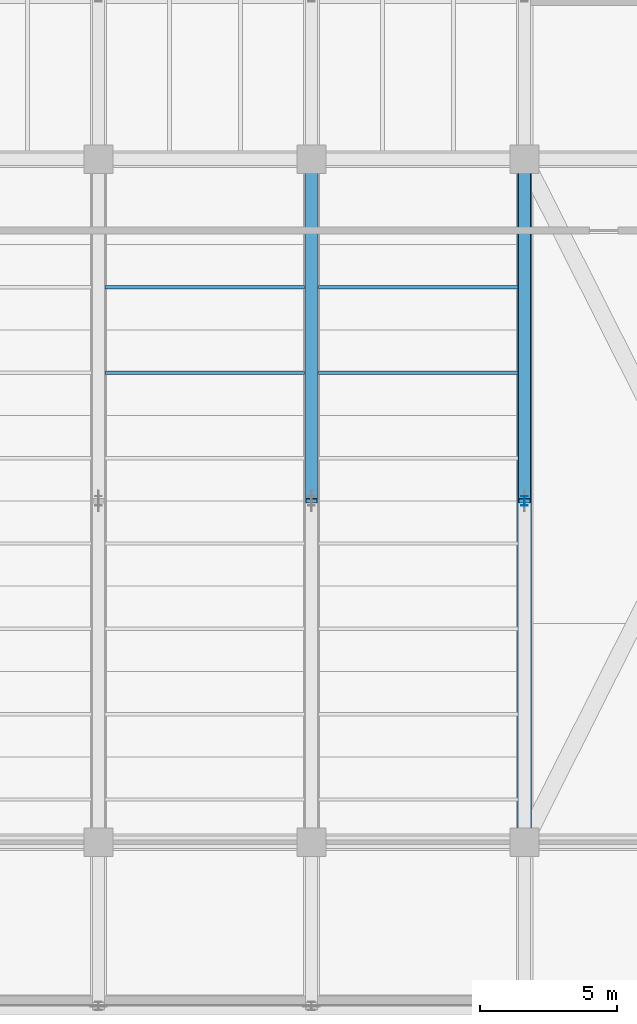
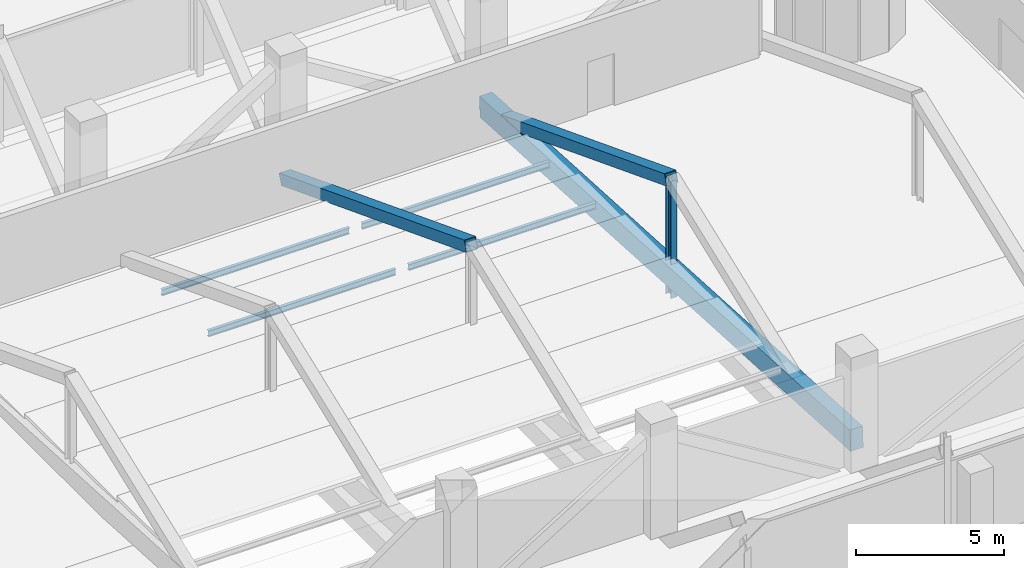
# One storey, part 50 of 127: 4 beams, 4 members.
"""IFC4 building model written with IfcOpenShell, lengths in metres."""

from ifc_helpers import new_model, si_unit, derived_unit, direction, frame, origin, origin_2d, place, context, subcontext, project, spatial, rectangle, hollow_rectangle, i_section, extrude, material, material_profile, profile_set, type_object, element, save


model = new_model("IFC4")

# Units and contexts
model_context = context("Model", 3, precision=1e-05, world=origin(), true_north=direction((0.0, 1.0)))
body_context = subcontext(model_context, "Body", "Model", "MODEL_VIEW")
ifc_project = project(units=[si_unit("LENGTHUNIT", "METRE"), si_unit("AREAUNIT", "SQUARE_METRE"), si_unit("VOLUMEUNIT", "CUBIC_METRE"), si_unit("PLANEANGLEUNIT", "RADIAN"), si_unit("MASSUNIT", "GRAM", prefix="KILO"), derived_unit("THERMALTRANSMITTANCEUNIT", [(si_unit("POWERUNIT", "WATT"), 1), (si_unit("LENGTHUNIT", "METRE"), -2), (si_unit("THERMODYNAMICTEMPERATUREUNIT", "KELVIN"), -1)])], contexts=[model_context])

# Site, building, storey
site_placement = place(None, origin())
site = spatial("IfcSite", under=ifc_project, at=site_placement, CompositionType="ELEMENT")
building_placement = place(site_placement, origin())
building = spatial("IfcBuilding", under=site, at=building_placement, Name="Nallur Shell Playhouse", CompositionType="ELEMENT")
storey_placement = place(building_placement, frame((0.0, 0.0, 5.39990234375)))
storey = spatial("IfcBuildingStorey", under=building, at=storey_placement, Name="L02", CompositionType="ELEMENT", Elevation=5.39990234375)

# Beams
ifc_material_1 = material(Name="Steel E250", Category="steel")
ifc_material_profile_1 = material_profile(ifc_material_1, i_section(OverallWidth=0.125, OverallDepth=0.25, WebThickness=0.0068359375, FlangeThickness=0.012451171875, FilletRadius=0.012939453125, at=origin_2d()), Name="ISMB 250")
ifc_profile_set_1 = profile_set([ifc_material_profile_1], Name="Steel E250")
beam_type = type_object("IfcBeamType", Name="BM-JST-ISMB250", PredefinedType="JOIST", material=ifc_profile_set_1)
for number, where, z_axis, x_axis, name in (
    (1, (87.64794921875, 36.3125, 0.085205078125), (1.0, 0.0, 0.0), (0.0, 1.0, 0.0), "Seating tier step bearer STALLS row 2 (87.4-95.2)"),
    (2, (95.447998046875, 36.3125, 0.085205078125), (1.0, 0.0, 0.0), (0.0, 1.0, 0.0), "Seating tier step bearer STALLS row 2 (95.2-103.0)"),
    (3, (87.64794921875, 33.1875, 0.28515625), (1.0, 0.0, 0.0), (0.0, 1.0, 0.0), "Seating tier step bearer STALLS row 3 (87.4-95.2)"),
    (4, (95.447998046875, 33.1875, 0.28515625), (1.0, 0.0, 0.0), (0.0, 1.0, 0.0), "Seating tier step bearer STALLS row 3 (95.2-103.0)"),
):
    element("IfcBeam", number, at=place(storey_placement, frame(where, z_axis=z_axis, x_axis=x_axis)), inside=storey, type_object=beam_type, Name=name, PredefinedType="JOIST", context=body_context, shape_type="SweptSolid", body=[
        extrude(i_section(OverallWidth=0.125, OverallDepth=0.25, WebThickness=0.0068359375, FlangeThickness=0.012451171875, FilletRadius=0.012939453125, at=origin_2d()), origin(), (0.0, 0.0, 1.0), 7.303955078125),
    ])

# Members
ifc_material_2 = material(Name="Concrete M40", Category="concrete")
ifc_material_profile_2 = material_profile(ifc_material_2, rectangle(XDim=0.5, YDim=0.85009765625, at=origin_2d()), Name="RC 500x850")
ifc_profile_set_2 = profile_set([ifc_material_profile_2], Name="Concrete M40")
member_type_1 = type_object("IfcMemberType", Name="MB-RAKER-RC", PredefinedType="STRINGER", material=ifc_profile_set_2)
member_1_placement = place(storey_placement, frame((103.0, 41.0, -0.414794921875), z_axis=(0.0, -0.998435896042, 0.055908510038), x_axis=(1.0, 0.0, 0.0)))
element("IfcMember", 5, at=member_1_placement, inside=storey, type_object=member_type_1, Name="Auditorium raker beam STALLS RAKER 4", PredefinedType="STRINGER", context=body_context, shape_type="SweptSolid", body=[
    extrude(rectangle(XDim=0.5, YDim=0.85009765625, at=origin_2d()), origin(), (0.0, 0.0, 1.0), 25.0390625),
])
ifc_material_3 = material(Name="Steel E350", Category="steel")
ifc_material_profile_3 = material_profile(ifc_material_3, hollow_rectangle(XDim=0.449951171875, YDim=0.449951171875, WallThickness=0.02001953125, at=origin_2d()), Name="BOX 450x450x20")
ifc_profile_set_3 = profile_set([ifc_material_profile_3], Name="Steel E350")
member_type_2 = type_object("IfcMemberType", Name="MB-TT-DIAG", PredefinedType="BRACE", material=ifc_profile_set_3)
for number, where, z_axis, x_axis, name in (
    (6, (95.199951171875, 28.5, 4.14013671875), (0.0, 0.933035744056, -0.359783685447), (-1.0, 0.0, 0.0), "Transfer truss TT-6 diagonal 3"),
    (7, (103.0, 28.5, 4.14013671875), (0.0, 0.933035744056, -0.359783685447), (-1.0, 0.0, 0.0), "Transfer truss TT-7 diagonal 3"),
):
    element("IfcMember", number, at=place(storey_placement, frame(where, z_axis=z_axis, x_axis=x_axis)), inside=storey, type_object=member_type_2, Name=name, PredefinedType="BRACE", context=body_context, shape_type="SweptSolid", body=[
        extrude(hollow_rectangle(XDim=0.449951171875, YDim=0.449951171875, WallThickness=0.02001953125, at=origin_2d()), origin(), (0.0, 0.0, 1.0), 13.397216796875),
    ])
ifc_material_profile_4 = material_profile(ifc_material_3, i_section(OverallWidth=0.25, OverallDepth=0.35009765625, WebThickness=0.010009765625, FlangeThickness=0.01171875, FilletRadius=0.011962890625, at=origin_2d()), Name="ISHB 350")
ifc_profile_set_4 = profile_set([ifc_material_profile_4], Name="Steel E350")
member_type_3 = type_object("IfcMemberType", Name="MB-TT-POST", PredefinedType="POST", material=ifc_profile_set_4)
member_2_placement = place(storey_placement, frame((103.0, 28.5, -0.679931640625), z_axis=(0.0, 0.0, 1.0), x_axis=(1.0, 0.0, 0.0)))
element("IfcMember", 8, at=member_2_placement, inside=storey, type_object=member_type_3, Name="Transfer truss TT-7 web post 3", PredefinedType="POST", context=body_context, shape_type="SweptSolid", body=[
    extrude(i_section(OverallWidth=0.25, OverallDepth=0.35009765625, WebThickness=0.010009765625, FlangeThickness=0.01171875, FilletRadius=0.011962890625, at=origin_2d()), origin(), (0.0, 0.0, 1.0), 4.820068359375),
])

save(model, "model.ifc")
